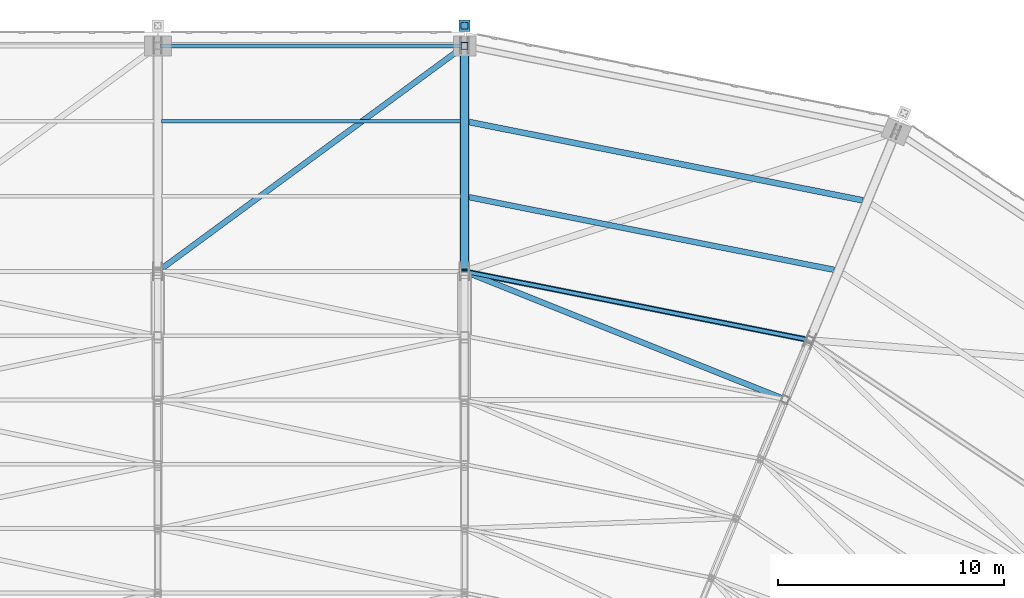
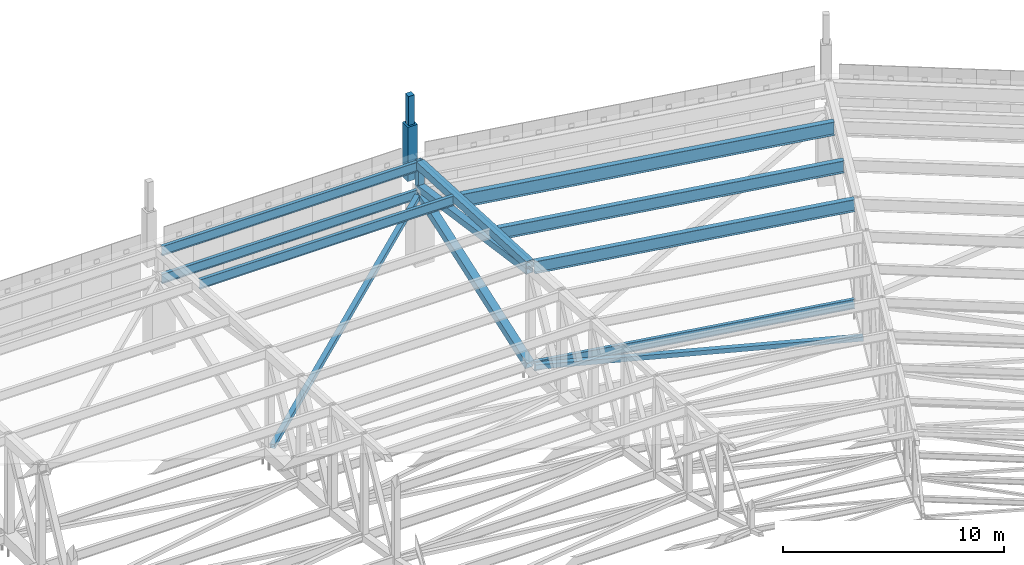
# One storey, part 93 of 278: 12 members, 3 beams.
"""IFC4 building model written with IfcOpenShell, lengths in metres."""

from ifc_helpers import new_model, si_unit, direction, frame, origin, origin_2d, place, context, subcontext, project, spatial, rectangle, hollow_rectangle, i_section, extrude, material, material_profile, profile_set, type_object, element, save


model = new_model("IFC4")

# Units and contexts
model_context = context("Model", 3, precision=1e-05, world=origin(), true_north=direction((0.0, 1.0)))
body_context = subcontext(model_context, "Body", "Model", "MODEL_VIEW")
ifc_project = project(units=[si_unit("LENGTHUNIT", "METRE"), si_unit("AREAUNIT", "SQUARE_METRE"), si_unit("VOLUMEUNIT", "CUBIC_METRE"), si_unit("PLANEANGLEUNIT", "RADIAN"), si_unit("MASSUNIT", "GRAM", prefix="KILO")], contexts=[model_context])

# Site, building, storey
site_placement = place(None, origin())
site = spatial("IfcSite", under=ifc_project, at=site_placement, CompositionType="ELEMENT")
building_placement = place(site_placement, origin())
building = spatial("IfcBuilding", under=site, at=building_placement, Name="Ogive Plaza Stadium", CompositionType="ELEMENT")
storey_placement = place(building_placement, frame((0.0, 0.0, 29.0)))
storey = spatial("IfcBuildingStorey", under=building, at=storey_placement, Name="Roof", CompositionType="ELEMENT", Elevation=29.0)

# Members
ifc_material_1 = material(Name="Concrete C45/55 precast", Category="concrete")
ifc_material_profile_1 = material_profile(ifc_material_1, rectangle(XDim=0.5, YDim=0.5, at=origin_2d()), Name="RC 500x500")
ifc_profile_set_1 = profile_set([ifc_material_profile_1], Name="Concrete C45/55 precast")
member_type_1 = type_object("IfcMemberType", Name="Precast pinnacle 500x500", PredefinedType="POST", material=ifc_profile_set_1)
member_1_placement = place(storey_placement, frame((34.0, 103.39990234375, 4.0), z_axis=(0.0, 0.0, 1.0), x_axis=(-1.0, 0.0, 0.0)))
element("IfcMember", 1, at=member_1_placement, inside=storey, type_object=member_type_1, Name="PINNACLE R37", PredefinedType="POST", context=body_context, shape_type="SweptSolid", body=[
    extrude(rectangle(XDim=0.5, YDim=0.5, at=origin_2d()), origin(), (0.0, 0.0, 1.0), 3.0),
])
ifc_material_2 = material(Name="Concrete C45/55 precast", Category="concrete")
ifc_material_profile_2 = material_profile(ifc_material_2, rectangle(XDim=0.300048828125, YDim=0.300048828125, at=origin_2d()), Name="RC 300x300")
ifc_profile_set_2 = profile_set([ifc_material_profile_2], Name="Concrete C45/55 precast")
member_type_2 = type_object("IfcMemberType", Name="Precast spire 300x300", PredefinedType="MEMBER", material=ifc_profile_set_2)
member_2_placement = place(storey_placement, frame((34.0, 103.39990234375, 7.0), z_axis=(0.0, 0.0, 1.0), x_axis=(-1.0, 0.0, 0.0)))
element("IfcMember", 2, at=member_2_placement, inside=storey, type_object=member_type_2, Name="SPIRE R37", PredefinedType="MEMBER", context=body_context, shape_type="SweptSolid", body=[
    extrude(rectangle(XDim=0.300048828125, YDim=0.300048828125, at=origin_2d()), origin(), (0.0, 0.0, 1.0), 1.60009765625),
])
ifc_material_3 = material(Name="Steel ASTM A500 Grade C", Category="steel")
ifc_material_profile_3 = material_profile(ifc_material_3, hollow_rectangle(XDim=0.25390625, YDim=0.25390625, WallThickness=0.0087890625, at=origin_2d()), Name="HSS10X10X3/8")
ifc_profile_set_3 = profile_set([ifc_material_profile_3], Name="Steel ASTM A500 Grade C")
member_type_3 = type_object("IfcMemberType", Name="Roof plan brace HSS10X10X3/8", PredefinedType="BRACE", material=ifc_profile_set_3)
member_3_placement = place(storey_placement, frame((20.62890625, 92.668212890625, 0.362060546875), z_axis=(0.789806515967, 0.580738793181, 0.197352784197), x_axis=(-0.592389594991, 0.805651641683, 0.0)))
element("IfcMember", 3, at=member_3_placement, inside=storey, type_object=member_type_3, Name="ROOF BRACE B36 11", PredefinedType="BRACE", context=body_context, shape_type="SweptSolid", body=[
    extrude(hollow_rectangle(XDim=0.25390625, YDim=0.25390625, WallThickness=0.0087890625, at=origin_2d()), origin(), (0.0, 0.0, 1.0), 16.672119140625),
])
member_4_placement = place(storey_placement, frame((48.1015625, 86.8681640625, 0.266845703125), z_axis=(-0.92866632558, 0.370892564775, -0.004190600068), x_axis=(-0.370895821464, -0.928674479902, 0.0)))
element("IfcMember", 4, at=member_4_placement, inside=storey, type_object=member_type_3, Name="ROOF BRACE B37 10", PredefinedType="BRACE", context=body_context, shape_type="SweptSolid", body=[
    extrude(hollow_rectangle(XDim=0.25390625, YDim=0.25390625, WallThickness=0.0087890625, at=origin_2d()), origin(), (0.0, 0.0, 1.0), 14.97265625),
])
ifc_material_4 = material(Name="Steel ASTM A992 Grade 50", Category="steel")
ifc_material_profile_4 = material_profile(ifc_material_4, i_section(OverallWidth=0.1650390625, OverallDepth=0.524658203125, WebThickness=0.0087890625, FlangeThickness=0.011474609375, at=origin_2d()), Name="W21X44")
ifc_profile_set_4 = profile_set([ifc_material_profile_4], Name="Steel ASTM A992 Grade 50")
member_type_4 = type_object("IfcMemberType", Name="Roof plan strut W21X44", PredefinedType="STRUT", material=ifc_profile_set_4)
member_5_placement = place(storey_placement, frame((20.5224609375, 102.5, 3.703125), z_axis=(1.0, 0.0, 0.0), x_axis=(0.0, 1.0, 0.0)))
element("IfcMember", 5, at=member_5_placement, inside=storey, type_object=member_type_4, Name="ROOF STRUT B36 11", PredefinedType="STRUT", context=body_context, shape_type="SweptSolid", body=[
    extrude(i_section(OverallWidth=0.1650390625, OverallDepth=0.524658203125, WebThickness=0.0087890625, FlangeThickness=0.011474609375, at=origin_2d()), origin(), (0.0, 0.0, 1.0), 13.355224609375),
])
member_6_placement = place(storey_placement, frame((34.16455078125, 92.46728515625, 0.203125), z_axis=(0.98078576758, -0.195087872799, 0.0), x_axis=(0.195087872799, 0.98078576758, 0.0)))
element("IfcMember", 6, at=member_6_placement, inside=storey, type_object=member_type_4, Name="ROOF STRUT B37 10", PredefinedType="STRUT", context=body_context, shape_type="SweptSolid", body=[
    extrude(i_section(OverallWidth=0.1650390625, OverallDepth=0.524658203125, WebThickness=0.0087890625, FlangeThickness=0.011474609375, at=origin_2d()), origin(), (0.0, 0.0, 1.0), 15.297607421875),
])
ifc_material_5 = material(Name="Steel ASTM A992 Grade 50", Category="steel")
ifc_material_profile_5 = material_profile(ifc_material_5, i_section(OverallWidth=0.1650390625, OverallDepth=0.524658203125, WebThickness=0.0087890625, FlangeThickness=0.011474609375, at=origin_2d()), Name="W21X44")
ifc_profile_set_5 = profile_set([ifc_material_profile_5], Name="Steel ASTM A992 Grade 50")
member_type_5 = type_object("IfcMemberType", Name="Roof purlin W21X44", PredefinedType="PURLIN", material=ifc_profile_set_5)
member_7_placement = place(storey_placement, frame((20.5732421875, 99.166748046875, 5.404296875), z_axis=(1.0, 0.0, 0.0), x_axis=(0.0, 1.0, 0.0)))
element("IfcMember", 7, at=member_7_placement, inside=storey, type_object=member_type_5, Name="ROOF PURLIN B36 12", PredefinedType="PURLIN", context=body_context, shape_type="SweptSolid", body=[
    extrude(i_section(OverallWidth=0.1650390625, OverallDepth=0.524658203125, WebThickness=0.0087890625, FlangeThickness=0.011474609375, at=origin_2d()), origin(), (0.0, 0.0, 1.0), 13.253662109375),
])
member_8_placement = place(storey_placement, frame((20.5224609375, 102.5, 5.237548828125), z_axis=(1.0, 0.0, 0.0), x_axis=(0.0, 1.0, 0.0)))
element("IfcMember", 8, at=member_8_placement, inside=storey, type_object=member_type_5, Name="ROOF PURLIN B36 13", PredefinedType="PURLIN", context=body_context, shape_type="SweptSolid", body=[
    extrude(i_section(OverallWidth=0.1650390625, OverallDepth=0.524658203125, WebThickness=0.0087890625, FlangeThickness=0.011474609375, at=origin_2d()), origin(), (0.0, 0.0, 1.0), 13.355224609375),
])
ifc_material_6 = material(Name="Steel ASTM A992 Grade 50", Category="steel")
ifc_material_profile_6 = material_profile(ifc_material_6, i_section(OverallWidth=0.2529296875, OverallDepth=0.678466796875, WebThickness=0.01171875, FlangeThickness=0.016357421875, at=origin_2d()), Name="W27X84")
ifc_profile_set_6 = profile_set([ifc_material_profile_6], Name="Steel ASTM A992 Grade 50")
member_type_6 = type_object("IfcMemberType", Name="Roof purlin W27X84", PredefinedType="PURLIN", material=ifc_profile_set_6)
member_9_placement = place(storey_placement, frame((34.173095703125, 92.465576171875, 5.660888671875), z_axis=(0.980786000888, -0.195086699859, 0.0), x_axis=(0.195086699859, 0.980786000888, 0.0)))
element("IfcMember", 9, at=member_9_placement, inside=storey, type_object=member_type_6, Name="ROOF PURLIN B37 10", PredefinedType="PURLIN", context=body_context, shape_type="SweptSolid", body=[
    extrude(i_section(OverallWidth=0.2529296875, OverallDepth=0.678466796875, WebThickness=0.01171875, FlangeThickness=0.016357421875, at=origin_2d()), origin(), (0.0, 0.0, 1.0), 15.2802734375),
])
member_10_placement = place(storey_placement, frame((34.198486328125, 95.7939453125, 5.494140625), z_axis=(0.980783842794, -0.195097549229, 0.0), x_axis=(0.195097549229, 0.980783842794, 0.0)))
element("IfcMember", 10, at=member_10_placement, inside=storey, type_object=member_type_6, Name="ROOF PURLIN B37 11", PredefinedType="PURLIN", context=body_context, shape_type="SweptSolid", body=[
    extrude(i_section(OverallWidth=0.2529296875, OverallDepth=0.678466796875, WebThickness=0.01171875, FlangeThickness=0.016357421875, at=origin_2d()), origin(), (0.0, 0.0, 1.0), 16.503173828125),
])
ifc_material_7 = material(Name="Steel ASTM A992 Grade 50", Category="steel")
ifc_material_profile_7 = material_profile(ifc_material_7, i_section(OverallWidth=0.26416015625, OverallDepth=0.75, WebThickness=0.011962890625, FlangeThickness=0.015380859375, at=origin_2d()), Name="W30X90")
ifc_profile_set_7 = profile_set([ifc_material_profile_7], Name="Steel ASTM A992 Grade 50")
member_type_7 = type_object("IfcMemberType", Name="Roof purlin W30X90", PredefinedType="PURLIN", material=ifc_profile_set_7)
member_11_placement = place(storey_placement, frame((34.199462890625, 99.126953125, 5.291748046875), z_axis=(0.98078533037, -0.195090070818, 0.0), x_axis=(0.195090070818, 0.98078533037, 0.0)))
element("IfcMember", 11, at=member_11_placement, inside=storey, type_object=member_type_7, Name="ROOF PURLIN B37 12", PredefinedType="PURLIN", context=body_context, shape_type="SweptSolid", body=[
    extrude(i_section(OverallWidth=0.26416015625, OverallDepth=0.75, WebThickness=0.011962890625, FlangeThickness=0.015380859375, at=origin_2d()), origin(), (0.0, 0.0, 1.0), 17.801513671875),
])

# Beams
ifc_material_8 = material(Name="Steel ASTM A500 Grade C", Category="steel")
ifc_material_profile_8 = material_profile(ifc_material_8, hollow_rectangle(XDim=0.406494140625, YDim=0.406494140625, WallThickness=0.0146484375, at=origin_2d()), Name="HSS16X16X5/8")
ifc_profile_set_8 = profile_set([ifc_material_profile_8], Name="Steel ASTM A500 Grade C")
beam_type_1 = type_object("IfcBeamType", Name="Roof truss back-span bottom chord HSS16X16X5/8", PredefinedType="BEAM", material=ifc_profile_set_8)
beam_1_placement = place(storey_placement, frame((34.0, 92.550048828125, 0.232666015625), z_axis=(0.0, 0.943851085966, 0.330371196567), x_axis=(-1.0, 0.0, 0.0)))
element("IfcBeam", 12, at=beam_1_placement, inside=storey, type_object=beam_type_1, Name="ROOF TRUSS T37 BOTTOM CHORD 11", PredefinedType="BEAM", context=body_context, shape_type="SweptSolid", body=[
    extrude(hollow_rectangle(XDim=0.406494140625, YDim=0.406494140625, WallThickness=0.0146484375, at=origin_2d()), origin(), (0.0, 0.0, 1.0), 10.470703125),
])
ifc_material_9 = material(Name="Steel ASTM A500 Grade C", Category="steel")
ifc_material_profile_9 = material_profile(ifc_material_9, hollow_rectangle(XDim=0.406494140625, YDim=0.406494140625, WallThickness=0.0146484375, at=origin_2d()), Name="HSS16X16X5/8")
ifc_profile_set_9 = profile_set([ifc_material_profile_9], Name="Steel ASTM A500 Grade C")
beam_type_2 = type_object("IfcBeamType", Name="Roof truss back-span top chord HSS16X16X5/8", PredefinedType="BEAM", material=ifc_profile_set_9)
beam_2_placement = place(storey_placement, frame((34.0, 92.550048828125, 5.7939453125), z_axis=(0.0, 0.998752953021, -0.049925332571), x_axis=(-1.0, 0.0, 0.0)))
element("IfcBeam", 13, at=beam_2_placement, inside=storey, type_object=beam_type_2, Name="ROOF TRUSS T37 TOP CHORD 11", PredefinedType="BEAM", context=body_context, shape_type="SweptSolid", body=[
    extrude(hollow_rectangle(XDim=0.406494140625, YDim=0.406494140625, WallThickness=0.0146484375, at=origin_2d()), origin(), (0.0, 0.0, 1.0), 9.912353515625),
])

# Member
ifc_material_10 = material(Name="Steel ASTM A500 Grade C", Category="steel")
ifc_material_profile_10 = material_profile(ifc_material_10, hollow_rectangle(XDim=0.355712890625, YDim=0.355712890625, WallThickness=0.0146484375, at=origin_2d()), Name="HSS14X14X5/8")
ifc_profile_set_10 = profile_set([ifc_material_profile_10], Name="Steel ASTM A500 Grade C")
member_type_8 = type_object("IfcMemberType", Name="Roof truss back-stay HSS14X14X5/8", PredefinedType="BRACE", material=ifc_profile_set_10)
member_12_placement = place(storey_placement, frame((34.0, 92.593017578125, 5.45654296875), z_axis=(0.0, 0.989844100519, -0.142157154826), x_axis=(-1.0, 0.0, 0.0)))
element("IfcMember", 14, at=member_12_placement, inside=storey, type_object=member_type_8, Name="BACK-STAY T37", PredefinedType="BRACE", context=body_context, shape_type="SweptSolid", body=[
    extrude(hollow_rectangle(XDim=0.355712890625, YDim=0.355712890625, WallThickness=0.0146484375, at=origin_2d()), origin(), (0.0, 0.0, 1.0), 9.9404296875),
])

# Beam
ifc_material_11 = material(Name="Steel ASTM A500 Grade C", Category="steel")
ifc_material_profile_11 = material_profile(ifc_material_11, hollow_rectangle(XDim=0.3046875, YDim=0.3046875, WallThickness=0.01171875, at=origin_2d()), Name="HSS12X12X1/2")
ifc_profile_set_11 = profile_set([ifc_material_profile_11], Name="Steel ASTM A500 Grade C")
beam_type_3 = type_object("IfcBeamType", Name="Roof truss post HSS12X12X1/2", PredefinedType="BEAM", material=ifc_profile_set_11)
beam_3_placement = place(storey_placement, frame((34.0, 102.5, 3.43994140625), z_axis=(0.0, 0.0, 1.0), x_axis=(-1.0, 0.0, 0.0)))
element("IfcBeam", 15, at=beam_3_placement, inside=storey, type_object=beam_type_3, Name="ROOF TRUSS T37 POST 12", PredefinedType="BEAM", context=body_context, shape_type="SweptSolid", body=[
    extrude(hollow_rectangle(XDim=0.3046875, YDim=0.3046875, WallThickness=0.01171875, at=origin_2d()), origin(), (0.0, 0.0, 1.0), 2.06005859375),
])

save(model, "model.ifc")
